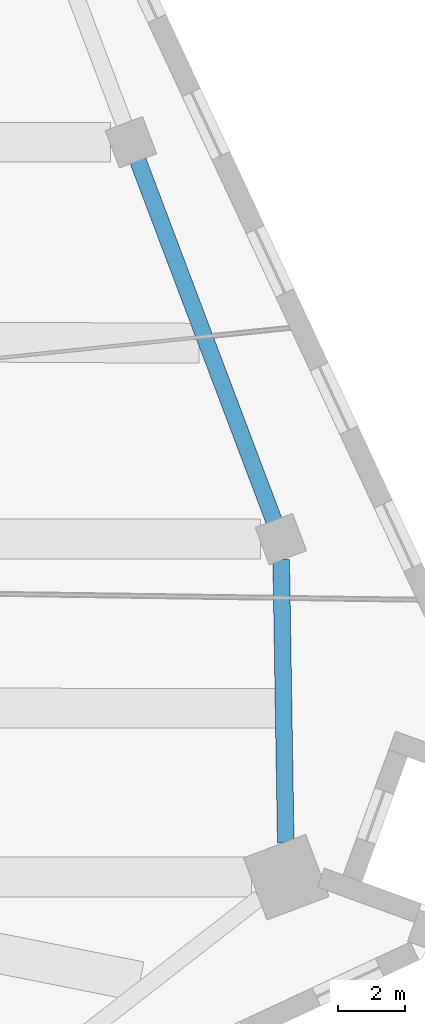
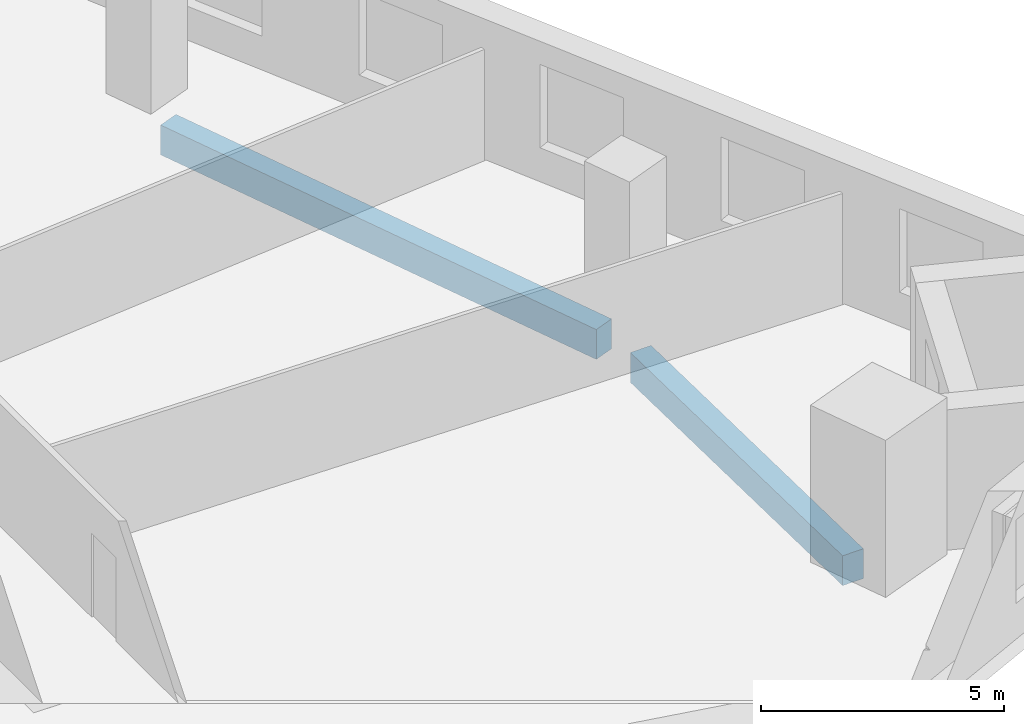
# One storey, part 3 of 12: 2 beams.
"""IFC4 building model written with IfcOpenShell, lengths in metres."""

from ifc_helpers import new_model, si_unit, direction, frame, origin, origin_2d, place, context, subcontext, project, spatial, rectangle, extrude, material, material_profile, profile_set, type_object, element, save


model = new_model("IFC4")

# Units and contexts
model_context = context("Model", 3, precision=1e-05, world=origin(), true_north=direction((0.0, 1.0)))
body_context = subcontext(model_context, "Body", "Model", "MODEL_VIEW")
ifc_project = project(units=[si_unit("LENGTHUNIT", "METRE"), si_unit("AREAUNIT", "SQUARE_METRE"), si_unit("VOLUMEUNIT", "CUBIC_METRE"), si_unit("PLANEANGLEUNIT", "RADIAN"), si_unit("MASSUNIT", "GRAM", prefix="KILO")], contexts=[model_context])

# Site, building, storey
site_placement = place(None, origin())
site = spatial("IfcSite", under=ifc_project, at=site_placement, CompositionType="ELEMENT")
building_placement = place(site_placement, origin())
building = spatial("IfcBuilding", under=site, at=building_placement, Name="Dilmun Exchange Tower", CompositionType="ELEMENT")
storey_placement = place(building_placement, frame((0.0, 0.0, 126.10009765625)))
storey = spatial("IfcBuildingStorey", under=building, at=storey_placement, Name="L29", CompositionType="ELEMENT", Elevation=126.10009765625)

# Beams
ifc_material = material(Name="Concrete C40/50", Category="concrete")
ifc_material_profile = material_profile(ifc_material, rectangle(XDim=0.5, YDim=0.75, at=origin_2d()), Name="500 x 750")
ifc_profile_set = profile_set([ifc_material_profile], Name="Concrete C40/50")
beam_type = type_object("IfcBeamType", Name="RC ring beam 500 x 750 C40/50", PredefinedType="SPANDREL", material=ifc_profile_set)
beam_1_placement = place(storey_placement, frame((30.37744140625, -11.33544921875, -0.795166015625), z_axis=(-0.016054357527, 0.999871120497, 0.0), x_axis=(-0.999871120497, -0.016054357527, 0.0)))
element("IfcBeam", 1, at=beam_1_placement, inside=storey, type_object=beam_type, Name="Ring beam 13", PredefinedType="SPANDREL", context=body_context, shape_type="SweptSolid", body=[
    extrude(rectangle(XDim=0.5, YDim=0.75, at=origin_2d()), origin(), (0.0, 0.0, 1.0), 8.515869140625),
])
beam_2_placement = place(storey_placement, frame((30.028564453125, -1.674072265625, -0.795166015625), z_axis=(-0.353349831573, 0.935491259461, 0.0), x_axis=(-0.935491259461, -0.353349831573, 0.0)))
element("IfcBeam", 2, at=beam_2_placement, inside=storey, type_object=beam_type, Name="Ring beam 14", PredefinedType="SPANDREL", context=body_context, shape_type="SweptSolid", body=[
    extrude(rectangle(XDim=0.5, YDim=0.75, at=origin_2d()), origin(), (0.0, 0.0, 1.0), 11.603515625),
])

save(model, "model.ifc")
